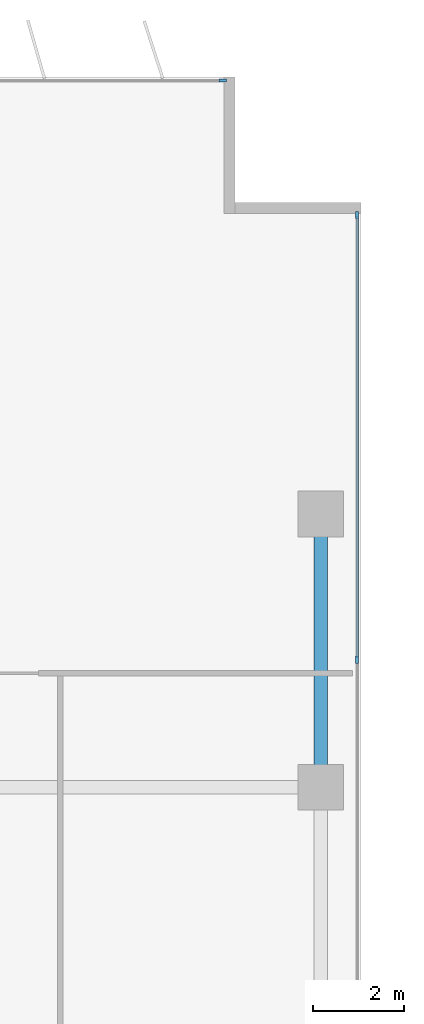
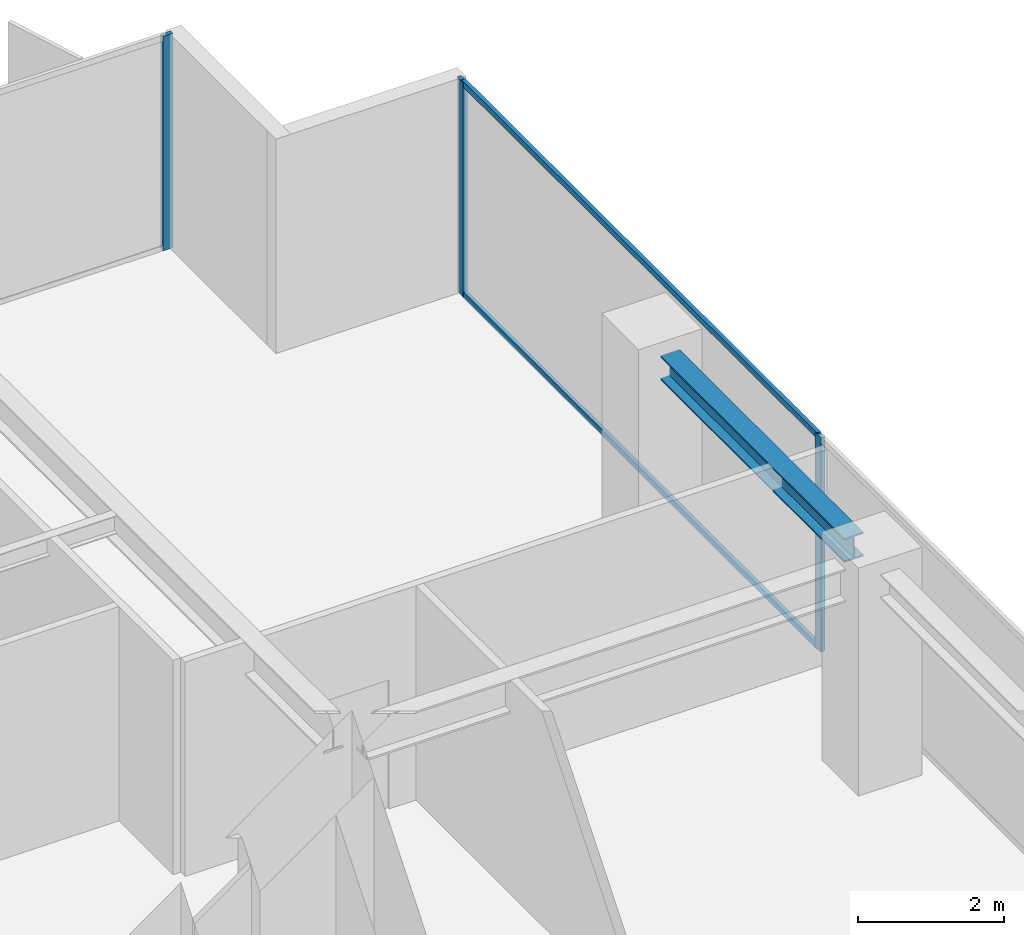
# One storey, part 13 of 22: 5 members, 1 beam, 2 elements without a shape of their own.
"""IFC4 building model written with IfcOpenShell, lengths in metres."""

from ifc_helpers import new_model, si_unit, direction, frame, origin, origin_2d, place, context, subcontext, project, spatial, rectangle, i_section, extrude, material, layer, layer_set, material_profile, profile_set, type_object, element, aggregate, save


model = new_model("IFC4")

# Units and contexts
model_context = context("Model", 3, precision=1e-05, world=origin(), true_north=direction((0.0, 1.0)))
body_context = subcontext(model_context, "Body", "Model", "MODEL_VIEW")
ifc_project = project(units=[si_unit("LENGTHUNIT", "METRE"), si_unit("AREAUNIT", "SQUARE_METRE"), si_unit("VOLUMEUNIT", "CUBIC_METRE"), si_unit("PLANEANGLEUNIT", "RADIAN"), si_unit("MASSUNIT", "GRAM", prefix="KILO")], contexts=[model_context])

# Site, building, storey
site_placement = place(None, origin())
site = spatial("IfcSite", under=ifc_project, at=site_placement, CompositionType="ELEMENT")
building_placement = place(site_placement, origin())
building = spatial("IfcBuilding", under=site, at=building_placement, Name="Putna Gate Headquarters", CompositionType="ELEMENT")
storey_placement = place(building_placement, frame((0.0, 0.0, 182.199951171875)))
storey = spatial("IfcBuildingStorey", under=building, at=storey_placement, Name="L45", CompositionType="ELEMENT", Elevation=182.199951171875)

# Beam
ifc_material_1 = material(Name="Steel S355J2", Category="steel")
ifc_material_profile_1 = material_profile(ifc_material_1, i_section(OverallWidth=0.300048828125, OverallDepth=0.39990234375, WebThickness=0.013427734375, FlangeThickness=0.02392578125, at=origin_2d()), Name="Steel S355J2")
ifc_profile_set_1 = profile_set([ifc_material_profile_1], Name="Steel S355J2")
beam_type = type_object("IfcBeamType", Name="BM-SPAN-Z3-HEB400", PredefinedType="SPANDREL", material=ifc_profile_set_1)
beam_placement = place(storey_placement, frame((73.320068359375, 33.488037109375, 3.3720703125), z_axis=(0.0, 1.0, 0.0), x_axis=(-1.0, 0.0, 0.0)))
element("IfcBeam", 1, at=beam_placement, inside=storey, type_object=beam_type, Name="L45 E End Spandrel 3", PredefinedType="SPANDREL", context=body_context, shape_type="SweptSolid", body=[
    extrude(i_section(OverallWidth=0.300048828125, OverallDepth=0.39990234375, WebThickness=0.013427734375, FlangeThickness=0.02392578125, at=origin_2d()), origin(), (0.0, 0.0, 1.0), 5.02392578125),
])

# Curtain wall, member
ifc_material_2 = material(Name="Anodised bronze aluminium curtain wall", Category="aluminium")
ifc_layer = layer(ifc_material_2, 0.159912109375)
ifc_layer_set = layer_set([ifc_layer], Name="Anodised bronze aluminium curtain wall")
curtain_wall_type = type_object("IfcCurtainWallType", Name="CW-SYS-Z3", PredefinedType="USERDEFINED", material=ifc_layer_set)
curtain_wall_1_placement = place(storey_placement, origin())
curtain_wall_1 = element("IfcCurtainWall", 2, at=curtain_wall_1_placement, inside=storey, type_object=curtain_wall_type, Name="L45 North East Curtain Wall", ObjectType="STICK CURTAIN WALL", PredefinedType="USERDEFINED")
ifc_material_3 = material(Name="Anodised bronze aluminium EN AW-6060", Category="aluminium")
ifc_material_profile_2 = material_profile(ifc_material_3, rectangle(XDim=0.06494140625, YDim=0.159912109375, at=origin_2d()), Name="Anodised bronze aluminium EN AW-6060")
ifc_profile_set_2 = profile_set([ifc_material_profile_2], Name="Anodised bronze aluminium EN AW-6060")
member_type_1 = type_object("IfcMemberType", Name="MULL-CWM-3", PredefinedType="MULLION", material=ifc_profile_set_2)
member_1_placement = place(storey_placement, frame((71.16748046875, 48.52001953125, 0.0), z_axis=(0.0, 0.0, 1.0), x_axis=(0.0, 1.0, 0.0)))
member_1 = element("IfcMember", 3, at=member_1_placement, type_object=member_type_1, Name="CWS-3 mullion 3", PredefinedType="MULLION", context=body_context, shape_type="SweptSolid", body=[
    extrude(rectangle(XDim=0.06494140625, YDim=0.159912109375, at=origin_2d()), origin(), (0.0, 0.0, 1.0), 3.572021484375),
])
aggregate(curtain_wall_1, [member_1])

# Curtain wall, members
curtain_wall_2_placement = place(storey_placement, origin())
curtain_wall_2 = element("IfcCurtainWall", 4, at=curtain_wall_2_placement, inside=storey, type_object=curtain_wall_type, Name="L45 East Curtain Wall", ObjectType="STICK CURTAIN WALL", PredefinedType="USERDEFINED")
member_2_placement = place(storey_placement, frame((74.1201171875, 35.800048828125, 0.0), z_axis=(0.0, 0.0, 1.0), x_axis=(-1.0, 0.0, 0.0)))
member_2 = element("IfcMember", 5, at=member_2_placement, type_object=member_type_1, Name="CWS-3 mullion 4", PredefinedType="MULLION", context=body_context, shape_type="SweptSolid", body=[
    extrude(rectangle(XDim=0.06494140625, YDim=0.159912109375, at=origin_2d()), origin(), (0.0, 0.0, 1.0), 3.572021484375),
])
member_3_placement = place(storey_placement, frame((74.1201171875, 45.5673828125, 0.0), z_axis=(0.0, 0.0, 1.0), x_axis=(-1.0, 0.0, 0.0)))
member_3 = element("IfcMember", 6, at=member_3_placement, type_object=member_type_1, Name="CWS-3 mullion 5", PredefinedType="MULLION", context=body_context, shape_type="SweptSolid", body=[
    extrude(rectangle(XDim=0.06494140625, YDim=0.159912109375, at=origin_2d()), origin(), (0.0, 0.0, 1.0), 3.572021484375),
])
ifc_material_profile_3 = material_profile(ifc_material_3, rectangle(XDim=0.06005859375, YDim=0.10009765625, at=origin_2d()), Name="Anodised bronze aluminium EN AW-6060")
ifc_profile_set_3 = profile_set([ifc_material_profile_3], Name="Anodised bronze aluminium EN AW-6060")
member_type_2 = type_object("IfcMemberType", Name="TRAN-CWT-3", PredefinedType="USERDEFINED", material=ifc_profile_set_3)
member_4_placement = place(storey_placement, frame((74.1201171875, 35.83251953125, 0.030029296875), z_axis=(0.0, 1.0, 0.0), x_axis=(-1.0, 0.0, 0.0)))
member_4 = element("IfcMember", 7, at=member_4_placement, type_object=member_type_2, Name="CWS-3 transom 4.1", ObjectType="TRANSOM", PredefinedType="USERDEFINED", context=body_context, shape_type="SweptSolid", body=[
    extrude(rectangle(XDim=0.06005859375, YDim=0.10009765625, at=origin_2d()), origin(), (0.0, 0.0, 1.0), 9.702392578125),
])
member_5_placement = place(storey_placement, frame((74.1201171875, 35.83251953125, 3.5419921875), z_axis=(0.0, 1.0, 0.0), x_axis=(-1.0, 0.0, 0.0)))
member_5 = element("IfcMember", 8, at=member_5_placement, type_object=member_type_2, Name="CWS-3 transom 4.2", ObjectType="TRANSOM", PredefinedType="USERDEFINED", context=body_context, shape_type="SweptSolid", body=[
    extrude(rectangle(XDim=0.06005859375, YDim=0.10009765625, at=origin_2d()), origin(), (0.0, 0.0, 1.0), 9.702392578125),
])
aggregate(curtain_wall_2, [member_2, member_3, member_4, member_5])

save(model, "model.ifc")
